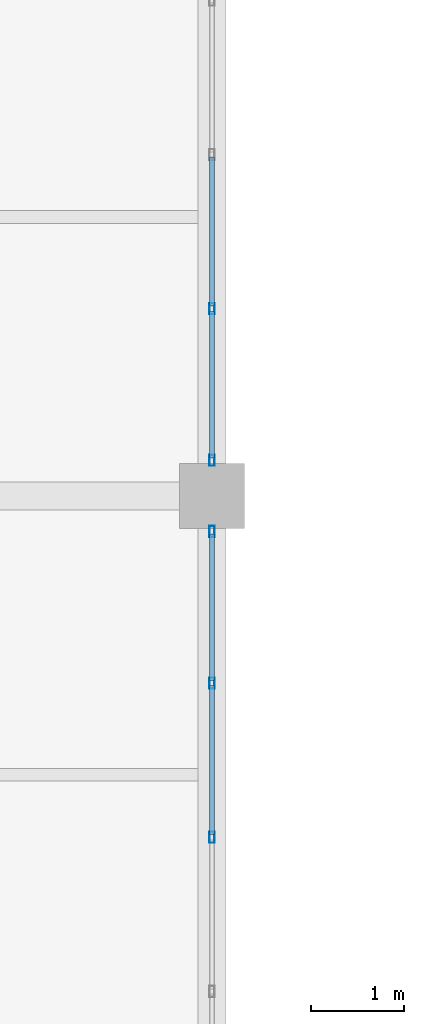
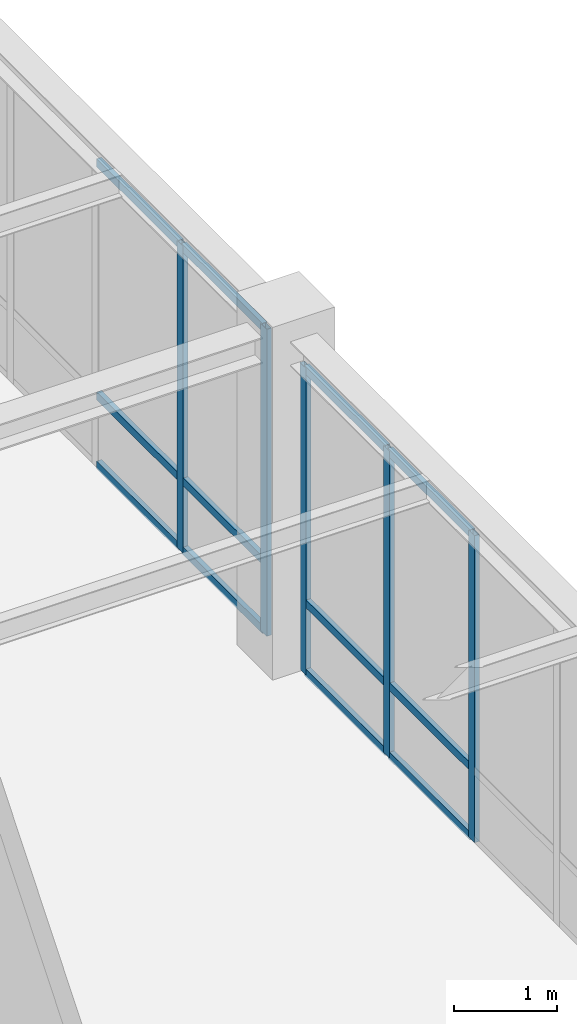
# One storey, part 33 of 130: 17 members, 2 elements without a shape of their own.
"""IFC4 building model written with IfcOpenShell, lengths in metres."""

import ifcopenshell
import ifcopenshell.guid

model = None  # the IFC model being written
_history = None  # IfcOwnerHistory: only IFC2X3 demands one
_inside = {}  # id of a spatial element -> (the spatial element, [elements in it])
_under = {}  # id of a project, library or spatial element -> (it, [spatial elements below it])
_declared = {}  # id of a project -> (the project, [libraries it declares])
_typed = {}  # id of a type object -> (the type object, [elements of that type])
_made_of = {}  # id of a material, layer set ... -> (it, [elements and type objects made of it])


def new_model(schema):
    """Start an empty IFC model of exactly this schema.

    Asked for "IFC4X3", IfcOpenShell would pick the latest addendum, in which some entities
    have other attributes; the version numbers below select the first issue.
    IFC2X3 requires an IfcOwnerHistory on every rooted entity: one is made here for all.
    """
    global model, _history
    if schema == "IFC4X3":
        model = ifcopenshell.file(schema_version=(4, 3, 0, 0))
    else:
        model = ifcopenshell.file(schema=schema)
    _inside.clear()
    _under.clear()
    _declared.clear()
    _typed.clear()
    _made_of.clear()
    _history = None
    if model.schema == "IFC2X3":
        org = make("IfcOrganization", Name="unknown")
        user = make(
            "IfcPersonAndOrganization",
            ThePerson=make("IfcPerson", FamilyName="unknown"),
            TheOrganization=org,
        )
        app = make(
            "IfcApplication",
            ApplicationDeveloper=org,
            Version="unknown",
            ApplicationFullName="unknown",
            ApplicationIdentifier="unknown",
        )
        _history = make(
            "IfcOwnerHistory",
            OwningUser=user,
            OwningApplication=app,
            ChangeAction="ADDED",
            CreationDate=0,
        )
    return model


def make(cls, **values):
    """One entity of the class cls with the attributes given. An attribute that is None is left unset."""
    return model.create_entity(
        cls, **{name: value for name, value in values.items() if value is not None}
    )


def rooted(cls, **values):
    """An entity with a GlobalId (a new one), such as an element, a storey or a relation."""
    return make(cls, GlobalId=ifcopenshell.guid.new(), OwnerHistory=_history, **values)


def si_unit(unit_type, name, prefix=None):
    """IfcSIUnit, for example si_unit("LENGTHUNIT", "METRE", prefix="MILLI")."""
    return make("IfcSIUnit", UnitType=unit_type, Prefix=prefix, Name=name)


def assignment(units):
    """IfcUnitAssignment: the units of a project."""
    return None if units is None else make("IfcUnitAssignment", Units=units)


def point(xyz):
    """IfcCartesianPoint."""
    return None if xyz is None else make("IfcCartesianPoint", Coordinates=xyz)


def direction(xyz):
    """IfcDirection."""
    return None if xyz is None else make("IfcDirection", DirectionRatios=xyz)


def frame(location, z_axis=None, x_axis=None):
    """IfcAxis2Placement3D, a coordinate frame: its origin and axes. An axis left out is left unset."""
    return make(
        "IfcAxis2Placement3D",
        Location=point(location),
        Axis=direction(z_axis),
        RefDirection=direction(x_axis),
    )


def frame_2d(location, x_axis=None):
    """IfcAxis2Placement2D, a coordinate frame in the plane: its origin and x axis."""
    return make(
        "IfcAxis2Placement2D", Location=point(location), RefDirection=direction(x_axis)
    )


def origin():
    """The frame at (0, 0, 0) with its axes left unset."""
    return frame((0.0, 0.0, 0.0))


def origin_2d():
    """The frame at (0, 0) in the plane with its x axis left unset."""
    return frame_2d((0.0, 0.0))


def place(relative_to, where):
    """IfcLocalPlacement: puts the frame where relative to a parent placement (None: the world)."""
    return make(
        "IfcLocalPlacement", PlacementRelTo=relative_to, RelativePlacement=where
    )


def context(
    kind, dimensions, precision=None, world=None, true_north=None, identifier=None
):
    """IfcGeometricRepresentationContext, for example the 3D "Model" context."""
    return make(
        "IfcGeometricRepresentationContext",
        ContextIdentifier=identifier,
        ContextType=kind,
        CoordinateSpaceDimension=dimensions,
        Precision=precision,
        WorldCoordinateSystem=world,
        TrueNorth=true_north,
    )


def subcontext(parent, identifier, kind, view, scale=None):
    """IfcGeometricRepresentationSubContext, for example "Body" below "Model"."""
    return make(
        "IfcGeometricRepresentationSubContext",
        ContextIdentifier=identifier,
        ContextType=kind,
        ParentContext=parent,
        TargetScale=scale,
        TargetView=view,
    )


def project(units=None, contexts=None):
    """IfcProject with its units and contexts."""
    return rooted(
        "IfcProject",
        Name="project",
        RepresentationContexts=contexts,
        UnitsInContext=assignment(units),
    )


def spatial(cls, under=None, at=None, **own):
    """A site, building, storey or space (cls), placed at a placement, below another one or the project."""
    s = rooted(cls, ObjectPlacement=at, **own)
    if under is not None:
        _under.setdefault(under.id(), (under, []))[1].append(s)
    return s


def profile(cls, at=None, kind="AREA", **sizes):
    """A parametric profile (cls). Its sizes go by their IFC names, for example OverallWidth=200.0."""
    return make(cls, ProfileType=kind, Position=at, **sizes)


def hollow_rectangle(**sizes):
    """IfcRectangleHollowProfileDef."""
    return profile("IfcRectangleHollowProfileDef", **sizes)


def extrude(swept, where, along, depth):
    """IfcExtrudedAreaSolid: the profile swept, set in the frame where, extruded along a direction by depth."""
    return make(
        "IfcExtrudedAreaSolid",
        SweptArea=swept,
        Position=where,
        ExtrudedDirection=direction(along),
        Depth=depth,
    )


def shape(context_of_items, identifier, shape_type, items):
    """IfcShapeRepresentation: the items that make up one representation, for example the "Body"."""
    return make(
        "IfcShapeRepresentation",
        ContextOfItems=context_of_items,
        RepresentationIdentifier=identifier,
        RepresentationType=shape_type,
        Items=items,
    )


def material(Name=None, Category=None):
    """IfcMaterial."""
    return make("IfcMaterial", Name=Name, Category=Category)


def material_profile(
    of_material, cross_section, Name=None, Category=None, Priority=None
):
    """IfcMaterialProfile: a cross section and its material."""
    return make(
        "IfcMaterialProfile",
        Name=Name,
        Material=of_material,
        Profile=cross_section,
        Priority=Priority,
        Category=Category,
    )


def profile_set(profiles, Name=None, composite=None):
    """IfcMaterialProfileSet."""
    return make(
        "IfcMaterialProfileSet",
        Name=Name,
        MaterialProfiles=profiles,
        CompositeProfile=composite,
    )


def made_of(thing, what):
    """Note that an element or type object is made of a material, layer set ...; save() writes the relation."""
    if what is not None:
        _made_of.setdefault(what.id(), (what, []))[1].append(thing)
    return thing


def type_object(cls, material=None, **own):
    """A type object (cls), such as IfcWallType, which elements share."""
    return made_of(rooted(cls, **own), material)


def element(
    cls,
    number,
    at=None,
    inside=None,
    cuts=None,
    type_object=None,
    material=None,
    context=None,
    identifier="Body",
    shape_type=None,
    held_by="IfcProductDefinitionShape",
    body=None,
    shapes=None,
    **own,
):
    """One element of the class cls, such as IfcWall. Its Tag is "e" and its number.

    at: its placement. inside: the storey or other place that contains it. cuts: it is an
    opening in that element (IfcRelVoidsElement). A single representation is given by context,
    identifier, shape_type and body (its items); several are given by shapes. held_by: the class
    of the entity that holds the representations. save() writes the other relations.
    """
    e = rooted(cls, Tag="e%d" % number, ObjectPlacement=at, **own)
    if body is not None:
        shapes = [shape(context, identifier, shape_type, body)]
    if shapes is not None:
        e.Representation = make(held_by, Representations=shapes)
    if inside is not None:
        _inside.setdefault(inside.id(), (inside, []))[1].append(e)
    if cuts is not None:
        rooted(
            "IfcRelVoidsElement", RelatingBuildingElement=cuts, RelatedOpeningElement=e
        )
    if type_object is not None:
        _typed.setdefault(type_object.id(), (type_object, []))[1].append(e)
    return made_of(e, material)


def aggregate(whole, parts):
    """IfcRelAggregates: a whole, such as a stair, and the parts it consists of."""
    return rooted("IfcRelAggregates", RelatingObject=whole, RelatedObjects=parts)


def save(model, path):
    """Write the relations noted so far, then the file.

    IfcRelAggregates (storeys below a building ...), IfcRelContainedInSpatialStructure (elements
    in a storey), IfcRelDefinesByType, IfcRelAssociatesMaterial and IfcRelDeclares: one each for
    every whole, place, type object, material and project.
    """
    for whole, parts in _under.values():
        aggregate(whole, parts)
    for where, things in _inside.values():
        rooted(
            "IfcRelContainedInSpatialStructure",
            RelatedElements=things,
            RelatingStructure=where,
        )
    for kind, things in _typed.values():
        rooted("IfcRelDefinesByType", RelatedObjects=things, RelatingType=kind)
    for what, things in _made_of.values():
        rooted("IfcRelAssociatesMaterial", RelatedObjects=things, RelatingMaterial=what)
    for by, libraries in _declared.values():
        rooted("IfcRelDeclares", RelatingContext=by, RelatedDefinitions=libraries)
    model.write(path)


model = new_model("IFC4")

# Units and contexts
model_context = context("Model", 3, precision=1e-05, world=origin(), true_north=direction((0.0, 1.0)))
body_context = subcontext(model_context, "Body", "Model", "MODEL_VIEW")
ifc_project = project(units=[si_unit("LENGTHUNIT", "METRE"), si_unit("AREAUNIT", "SQUARE_METRE"), si_unit("VOLUMEUNIT", "CUBIC_METRE"), si_unit("PLANEANGLEUNIT", "RADIAN"), si_unit("MASSUNIT", "GRAM", prefix="KILO")], contexts=[model_context])

# Site, building, storey
site_placement = place(None, origin())
site = spatial("IfcSite", under=ifc_project, at=site_placement, CompositionType="ELEMENT")
building_placement = place(site_placement, origin())
building = spatial("IfcBuilding", under=site, at=building_placement, Name="Lykobir Media Centre", CompositionType="ELEMENT")
storey_placement = place(building_placement, frame((0.0, 0.0, 19.199951171875)))
storey = spatial("IfcBuildingStorey", under=building, at=storey_placement, Name="L04", CompositionType="ELEMENT", Elevation=19.199951171875)

# Curtain wall, members
ifc_material = material(Name="Anodized Aluminium AW-6060", Category="aluminium")
curtain_wall_type = type_object("IfcCurtainWallType", Name="CW-COURT-B", PredefinedType="NOTDEFINED", material=ifc_material)
curtain_wall_1_placement = place(storey_placement, origin())
curtain_wall_1 = element("IfcCurtainWall", 1, at=curtain_wall_1_placement, inside=storey, type_object=curtain_wall_type, Name="Curtain wall CW2-L04-0155", PredefinedType="NOTDEFINED")
ifc_material_profile_1 = material_profile(ifc_material, hollow_rectangle(XDim=0.054931640625, YDim=0.1201171875, WallThickness=0.003173828125, at=origin_2d()), Name="ALU MULLION 55x120")
ifc_profile_set_1 = profile_set([ifc_material_profile_1], Name="Anodized Aluminium AW-6060")
member_type_1 = type_object("IfcMemberType", Name="CWM-120", PredefinedType="MULLION", material=ifc_profile_set_1)
member_1_placement = place(storey_placement, frame((36.0, 35.617431640625, 0.0), z_axis=(0.0, 0.0, 1.0), x_axis=(1.0, 0.0, 0.0)))
member_1 = element("IfcMember", 2, at=member_1_placement, type_object=member_type_1, Name="CW2-L04-0155 mullion 1", PredefinedType="MULLION", context=body_context, shape_type="SweptSolid", body=[
    extrude(hollow_rectangle(XDim=0.054931640625, YDim=0.1201171875, WallThickness=0.003173828125, at=origin_2d()), origin(), (0.0, 0.0, 1.0), 3.655029296875),
])
member_2_placement = place(storey_placement, frame((36.0, 33.987060546875, 0.0), z_axis=(0.0, 0.0, 1.0), x_axis=(1.0, 0.0, 0.0)))
member_2 = element("IfcMember", 3, at=member_2_placement, type_object=member_type_1, Name="CW2-L04-0155 mullion 2", PredefinedType="MULLION", context=body_context, shape_type="SweptSolid", body=[
    extrude(hollow_rectangle(XDim=0.054931640625, YDim=0.1201171875, WallThickness=0.003173828125, at=origin_2d()), origin(), (0.0, 0.0, 1.0), 3.655029296875),
])
member_3_placement = place(storey_placement, frame((36.0, 32.3291015625, 0.0), z_axis=(0.0, 0.0, 1.0), x_axis=(1.0, 0.0, 0.0)))
member_3 = element("IfcMember", 4, at=member_3_placement, type_object=member_type_1, Name="CW2-L04-0155 mullion 3", PredefinedType="MULLION", context=body_context, shape_type="SweptSolid", body=[
    extrude(hollow_rectangle(XDim=0.054931640625, YDim=0.1201171875, WallThickness=0.003173828125, at=origin_2d()), origin(), (0.0, 0.0, 1.0), 3.655029296875),
])

curtain_wall_2_placement = place(storey_placement, origin())
curtain_wall_2 = element("IfcCurtainWall", 5, at=curtain_wall_2_placement, inside=storey, type_object=curtain_wall_type, Name="Curtain wall CW2-L04-0156", PredefinedType="NOTDEFINED")
member_4_placement = place(storey_placement, frame((36.0, 38.012939453125, 0.0), z_axis=(0.0, 0.0, 1.0), x_axis=(1.0, 0.0, 0.0)))
member_4 = element("IfcMember", 6, at=member_4_placement, type_object=member_type_1, Name="CW2-L04-0156 mullion 5", PredefinedType="MULLION", context=body_context, shape_type="SweptSolid", body=[
    extrude(hollow_rectangle(XDim=0.054931640625, YDim=0.1201171875, WallThickness=0.003173828125, at=origin_2d()), origin(), (0.0, 0.0, 1.0), 3.655029296875),
])
member_5_placement = place(storey_placement, frame((36.0, 36.382568359375, 0.0), z_axis=(0.0, 0.0, 1.0), x_axis=(1.0, 0.0, 0.0)))
member_5 = element("IfcMember", 7, at=member_5_placement, type_object=member_type_1, Name="CW2-L04-0156 mullion 6", PredefinedType="MULLION", context=body_context, shape_type="SweptSolid", body=[
    extrude(hollow_rectangle(XDim=0.054931640625, YDim=0.1201171875, WallThickness=0.003173828125, at=origin_2d()), origin(), (0.0, 0.0, 1.0), 3.655029296875),
])

# Member
ifc_material_profile_2 = material_profile(ifc_material, hollow_rectangle(XDim=0.054931640625, YDim=0.094970703125, WallThickness=0.0029296875, at=origin_2d()), Name="ALU TRANSOM 55x95")
ifc_profile_set_2 = profile_set([ifc_material_profile_2], Name="Anodized Aluminium AW-6060")
member_type_2 = type_object("IfcMemberType", Name="CWT-095", PredefinedType="USERDEFINED", material=ifc_profile_set_2)
member_6_placement = place(storey_placement, frame((36.0, 35.590087890625, 0.027587890625), z_axis=(0.0, -1.0, 0.0), x_axis=(1.0, 0.0, 0.0)))
member_6 = element("IfcMember", 8, at=member_6_placement, type_object=member_type_2, Name="CW2-L04-0155 transom 1.1", ObjectType="TRANSOM", PredefinedType="USERDEFINED", context=body_context, shape_type="SweptSolid", body=[
    extrude(hollow_rectangle(XDim=0.054931640625, YDim=0.094970703125, WallThickness=0.0029296875, at=origin_2d()), origin(), (0.0, 0.0, 1.0), 1.57568359375),
])

member_7_placement = place(storey_placement, frame((36.0, 35.590087890625, 0.85009765625), z_axis=(0.0, -1.0, 0.0), x_axis=(1.0, 0.0, 0.0)))
member_7 = element("IfcMember", 9, at=member_7_placement, type_object=member_type_2, Name="CW2-L04-0155 transom 1.2", ObjectType="TRANSOM", PredefinedType="USERDEFINED", context=body_context, shape_type="SweptSolid", body=[
    extrude(hollow_rectangle(XDim=0.054931640625, YDim=0.094970703125, WallThickness=0.0029296875, at=origin_2d()), origin(), (0.0, 0.0, 1.0), 1.57568359375),
])

member_8_placement = place(storey_placement, frame((36.0, 35.590087890625, 3.62744140625), z_axis=(0.0, -1.0, 0.0), x_axis=(1.0, 0.0, 0.0)))
member_8 = element("IfcMember", 10, at=member_8_placement, type_object=member_type_2, Name="CW2-L04-0155 transom 1.3", ObjectType="TRANSOM", PredefinedType="USERDEFINED", context=body_context, shape_type="SweptSolid", body=[
    extrude(hollow_rectangle(XDim=0.054931640625, YDim=0.094970703125, WallThickness=0.0029296875, at=origin_2d()), origin(), (0.0, 0.0, 1.0), 1.57568359375),
])

member_9_placement = place(storey_placement, frame((36.0, 33.95947265625, 0.027587890625), z_axis=(0.0, -1.0, 0.0), x_axis=(1.0, 0.0, 0.0)))
member_9 = element("IfcMember", 11, at=member_9_placement, type_object=member_type_2, Name="CW2-L04-0155 transom 2.1", ObjectType="TRANSOM", PredefinedType="USERDEFINED", context=body_context, shape_type="SweptSolid", body=[
    extrude(hollow_rectangle(XDim=0.054931640625, YDim=0.094970703125, WallThickness=0.0029296875, at=origin_2d()), origin(), (0.0, 0.0, 1.0), 1.60302734375),
])

member_10_placement = place(storey_placement, frame((36.0, 33.95947265625, 0.85009765625), z_axis=(0.0, -1.0, 0.0), x_axis=(1.0, 0.0, 0.0)))
member_10 = element("IfcMember", 12, at=member_10_placement, type_object=member_type_2, Name="CW2-L04-0155 transom 2.2", ObjectType="TRANSOM", PredefinedType="USERDEFINED", context=body_context, shape_type="SweptSolid", body=[
    extrude(hollow_rectangle(XDim=0.054931640625, YDim=0.094970703125, WallThickness=0.0029296875, at=origin_2d()), origin(), (0.0, 0.0, 1.0), 1.60302734375),
])

member_11_placement = place(storey_placement, frame((36.0, 33.95947265625, 3.62744140625), z_axis=(0.0, -1.0, 0.0), x_axis=(1.0, 0.0, 0.0)))
member_11 = element("IfcMember", 13, at=member_11_placement, type_object=member_type_2, Name="CW2-L04-0155 transom 2.3", ObjectType="TRANSOM", PredefinedType="USERDEFINED", context=body_context, shape_type="SweptSolid", body=[
    extrude(hollow_rectangle(XDim=0.054931640625, YDim=0.094970703125, WallThickness=0.0029296875, at=origin_2d()), origin(), (0.0, 0.0, 1.0), 1.60302734375),
])

aggregate(curtain_wall_1, [member_1, member_2, member_3, member_6, member_7, member_8, member_9, member_10, member_11])

member_12_placement = place(storey_placement, frame((36.0, 39.6435546875, 0.027587890625), z_axis=(0.0, -1.0, 0.0), x_axis=(1.0, 0.0, 0.0)))
member_12 = element("IfcMember", 14, at=member_12_placement, type_object=member_type_2, Name="CW2-L04-0156 transom 4.1", ObjectType="TRANSOM", PredefinedType="USERDEFINED", context=body_context, shape_type="SweptSolid", body=[
    extrude(hollow_rectangle(XDim=0.054931640625, YDim=0.094970703125, WallThickness=0.0029296875, at=origin_2d()), origin(), (0.0, 0.0, 1.0), 1.60302734375),
])

member_13_placement = place(storey_placement, frame((36.0, 39.6435546875, 0.85009765625), z_axis=(0.0, -1.0, 0.0), x_axis=(1.0, 0.0, 0.0)))
member_13 = element("IfcMember", 15, at=member_13_placement, type_object=member_type_2, Name="CW2-L04-0156 transom 4.2", ObjectType="TRANSOM", PredefinedType="USERDEFINED", context=body_context, shape_type="SweptSolid", body=[
    extrude(hollow_rectangle(XDim=0.054931640625, YDim=0.094970703125, WallThickness=0.0029296875, at=origin_2d()), origin(), (0.0, 0.0, 1.0), 1.60302734375),
])

member_14_placement = place(storey_placement, frame((36.0, 39.6435546875, 3.62744140625), z_axis=(0.0, -1.0, 0.0), x_axis=(1.0, 0.0, 0.0)))
member_14 = element("IfcMember", 16, at=member_14_placement, type_object=member_type_2, Name="CW2-L04-0156 transom 4.3", ObjectType="TRANSOM", PredefinedType="USERDEFINED", context=body_context, shape_type="SweptSolid", body=[
    extrude(hollow_rectangle(XDim=0.054931640625, YDim=0.094970703125, WallThickness=0.0029296875, at=origin_2d()), origin(), (0.0, 0.0, 1.0), 1.60302734375),
])

member_15_placement = place(storey_placement, frame((36.0, 37.985595703125, 0.027587890625), z_axis=(0.0, -1.0, 0.0), x_axis=(1.0, 0.0, 0.0)))
member_15 = element("IfcMember", 17, at=member_15_placement, type_object=member_type_2, Name="CW2-L04-0156 transom 5.1", ObjectType="TRANSOM", PredefinedType="USERDEFINED", context=body_context, shape_type="SweptSolid", body=[
    extrude(hollow_rectangle(XDim=0.054931640625, YDim=0.094970703125, WallThickness=0.0029296875, at=origin_2d()), origin(), (0.0, 0.0, 1.0), 1.57568359375),
])

member_16_placement = place(storey_placement, frame((36.0, 37.985595703125, 0.85009765625), z_axis=(0.0, -1.0, 0.0), x_axis=(1.0, 0.0, 0.0)))
member_16 = element("IfcMember", 18, at=member_16_placement, type_object=member_type_2, Name="CW2-L04-0156 transom 5.2", ObjectType="TRANSOM", PredefinedType="USERDEFINED", context=body_context, shape_type="SweptSolid", body=[
    extrude(hollow_rectangle(XDim=0.054931640625, YDim=0.094970703125, WallThickness=0.0029296875, at=origin_2d()), origin(), (0.0, 0.0, 1.0), 1.57568359375),
])

member_17_placement = place(storey_placement, frame((36.0, 37.985595703125, 3.62744140625), z_axis=(0.0, -1.0, 0.0), x_axis=(1.0, 0.0, 0.0)))
member_17 = element("IfcMember", 19, at=member_17_placement, type_object=member_type_2, Name="CW2-L04-0156 transom 5.3", ObjectType="TRANSOM", PredefinedType="USERDEFINED", context=body_context, shape_type="SweptSolid", body=[
    extrude(hollow_rectangle(XDim=0.054931640625, YDim=0.094970703125, WallThickness=0.0029296875, at=origin_2d()), origin(), (0.0, 0.0, 1.0), 1.57568359375),
])

aggregate(curtain_wall_2, [member_4, member_5, member_12, member_13, member_14, member_15, member_16, member_17])

save(model, "model.ifc")
